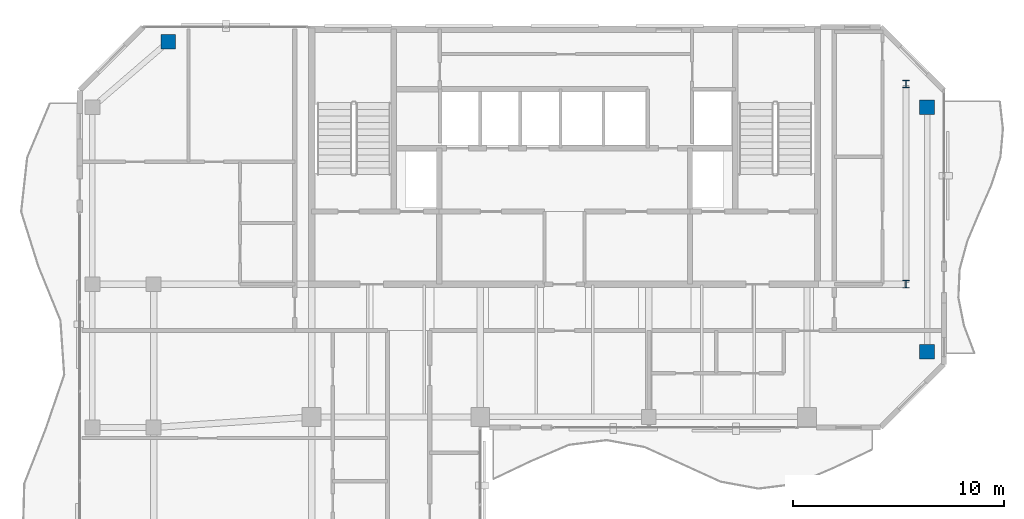
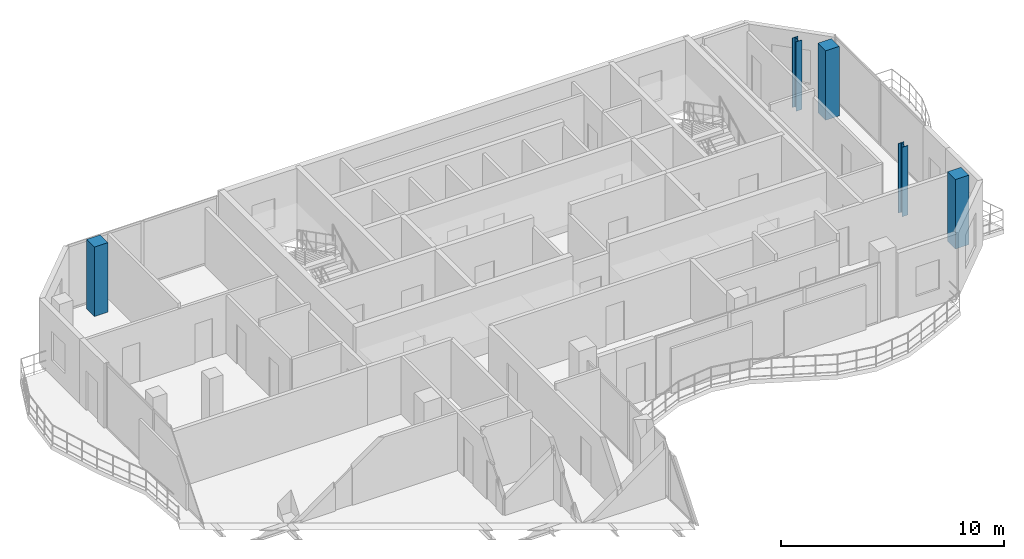
# One storey, part 2 of 23: 5 columns.
"""IFC4 building model written with IfcOpenShell, lengths in metres."""

from ifc_helpers import new_model, si_unit, direction, frame, origin, origin_2d, place, context, subcontext, project, spatial, rectangle, i_section, extrude, material, material_profile, profile_set, type_object, element, save


model = new_model("IFC4")

# Units and contexts
model_context = context("Model", 3, precision=1e-05, world=origin(), true_north=direction((0.0, 1.0)))
body_context = subcontext(model_context, "Body", "Model", "MODEL_VIEW")
ifc_project = project(units=[si_unit("LENGTHUNIT", "METRE"), si_unit("AREAUNIT", "SQUARE_METRE"), si_unit("VOLUMEUNIT", "CUBIC_METRE"), si_unit("PLANEANGLEUNIT", "RADIAN"), si_unit("MASSUNIT", "GRAM", prefix="KILO")], contexts=[model_context])

# Site, building, storey
site_placement = place(None, origin())
site = spatial("IfcSite", under=ifc_project, at=site_placement, CompositionType="ELEMENT")
building_placement = place(site_placement, origin())
building = spatial("IfcBuilding", under=site, at=building_placement, Name="Catumbela Crestline Tower", CompositionType="ELEMENT")
storey_placement = place(building_placement, frame((0.0, 0.0, 252.6)))
storey = spatial("IfcBuildingStorey", under=building, at=storey_placement, Name="L65", CompositionType="ELEMENT", Elevation=252.6)

# Columns
ifc_material_1 = material(Name="Concrete C45/55", Category="concrete")
ifc_material_profile_1 = material_profile(ifc_material_1, rectangle(XDim=0.7, YDim=0.7, at=origin_2d()), Name="RC 700x700")
ifc_profile_set_1 = profile_set([ifc_material_profile_1], Name="Concrete C45/55")
column_type_1 = type_object("IfcColumnType", Name="C-RC700-C45", PredefinedType="COLUMN", material=ifc_profile_set_1)
for number, where, z_axis, x_axis, name in (
    (1, (9.2, 42.3, 0.0), (0.0, 0.0, 1.0), (1.0, 0.0, 0.0), "L65 Column C-08-43 (RC 700x700)"),
    (2, (45.2, 27.6, 0.0), (0.0, 0.0, 1.0), (1.0, 0.0, 0.0), "L65 Column C-46-24 (RC 700x700)"),
    (3, (45.2, 39.2, 0.0), (0.0, 0.0, 1.0), (1.0, 0.0, 0.0), "L65 Column C-46-43 (RC 700x700)"),
):
    element("IfcColumn", number, at=place(storey_placement, frame(where, z_axis=z_axis, x_axis=x_axis)), inside=storey, type_object=column_type_1, Name=name, PredefinedType="COLUMN", context=body_context, shape_type="SweptSolid", body=[
        extrude(rectangle(XDim=0.7, YDim=0.7, at=origin_2d()), origin(), (0.0, 0.0, 1.0), 3.8),
    ])
ifc_material_2 = material(Name="Structural steel S355J2", Category="steel")
ifc_material_profile_2 = material_profile(ifc_material_2, i_section(OverallWidth=0.3, OverallDepth=0.36, WebThickness=0.0125, FlangeThickness=0.0225, FilletRadius=0.027, at=origin_2d()), Name="HEB 360")
ifc_profile_set_2 = profile_set([ifc_material_profile_2], Name="Structural steel S355J2")
column_type_2 = type_object("IfcColumnType", Name="C-ST-HEB360", PredefinedType="COLUMN", material=ifc_profile_set_2)
for number, where, z_axis, x_axis, name in (
    (4, (44.2, 30.8, 0.0), (0.0, 0.0, 1.0), (1.0, 0.0, 0.0), "L65 Column CT-46-31 (HEB 360)"),
    (5, (44.2, 40.3, 0.0), (0.0, 0.0, 1.0), (1.0, 0.0, 0.0), "L65 Column CT-46-37 (HEB 360)"),
):
    element("IfcColumn", number, at=place(storey_placement, frame(where, z_axis=z_axis, x_axis=x_axis)), inside=storey, type_object=column_type_2, Name=name, PredefinedType="COLUMN", context=body_context, shape_type="SweptSolid", body=[
        extrude(i_section(OverallWidth=0.3, OverallDepth=0.36, WebThickness=0.0125, FlangeThickness=0.0225, FilletRadius=0.027, at=origin_2d()), origin(), (0.0, 0.0, 1.0), 3.8),
    ])

save(model, "model.ifc")
